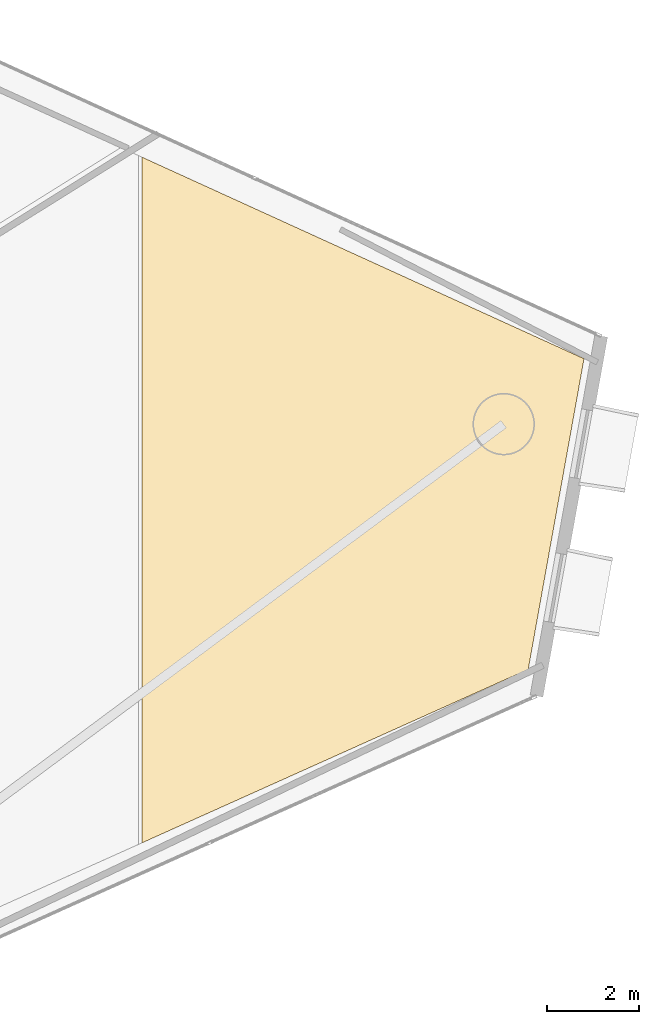
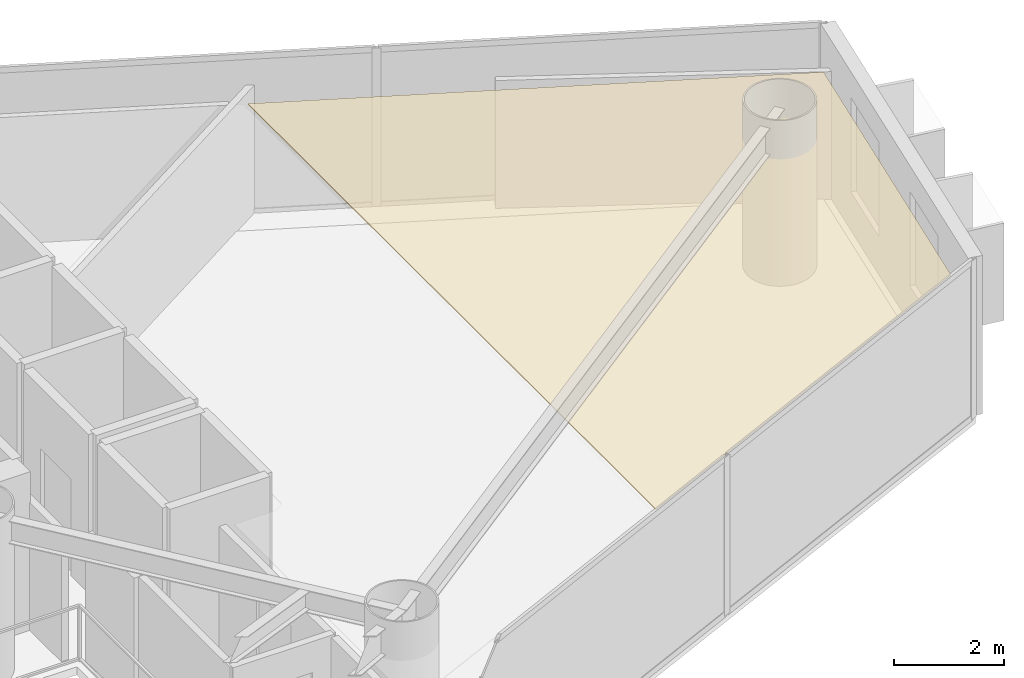
# One storey, part 23 of 23: 1 covering.
"""IFC4 building model written with IfcOpenShell, lengths in metres."""

from ifc_helpers import new_model, si_unit, direction, frame, origin, place, context, subcontext, project, spatial, polyline, outline, extrude, material, layer, layer_set, type_object, element, save


model = new_model("IFC4")

# Units and contexts
model_context = context("Model", 3, precision=1e-05, world=origin(), true_north=direction((0.0, 1.0)))
body_context = subcontext(model_context, "Body", "Model", "MODEL_VIEW")
ifc_project = project(units=[si_unit("LENGTHUNIT", "METRE"), si_unit("AREAUNIT", "SQUARE_METRE"), si_unit("VOLUMEUNIT", "CUBIC_METRE"), si_unit("PLANEANGLEUNIT", "RADIAN"), si_unit("MASSUNIT", "GRAM", prefix="KILO")], contexts=[model_context])

# Site, building, storey
site_placement = place(None, origin())
site = spatial("IfcSite", under=ifc_project, at=site_placement, CompositionType="ELEMENT")
building_placement = place(site_placement, origin())
building = spatial("IfcBuilding", under=site, at=building_placement, Name="Qianvela Tower", CompositionType="ELEMENT")
storey_placement = place(building_placement, frame((0.0, 0.0, 147.60009765625)))
storey = spatial("IfcBuildingStorey", under=building, at=storey_placement, Name="L37", CompositionType="ELEMENT", Elevation=147.60009765625)

# Covering
ifc_material = material(Name="Perforated Mineral Acoustic Ceiling Tile")
ifc_layer = layer(ifc_material, 0.02490234375)
ifc_layer_set = layer_set([ifc_layer], Name="Perforated Mineral Acoustic Ceiling Tile")
covering_type = type_object("IfcCoveringType", Name="COV-CEIL-ACOUSTIC-25", PredefinedType="CEILING", material=ifc_layer_set)
covering_placement = place(storey_placement, frame((0.0, 0.0, 2.81494140625)))
element("IfcCovering", 1, at=covering_placement, inside=storey, type_object=covering_type, Name="L37 Acoustic Ceiling Bay 2 Maker Craft Workshop L37-03", PredefinedType="CEILING", context=body_context, shape_type="SweptSolid", body=[
    extrude(outline(polyline([(59.17236328125, 29.03466796875), (57.96435546875, 22.309326171875), (49.600830078125, 18.552001953125), (49.600830078125, 33.399169921875), (59.17236328125, 29.03466796875)])), origin(), (0.0, 0.0, 1.0), 0.02490234375),
])

save(model, "model.ifc")
